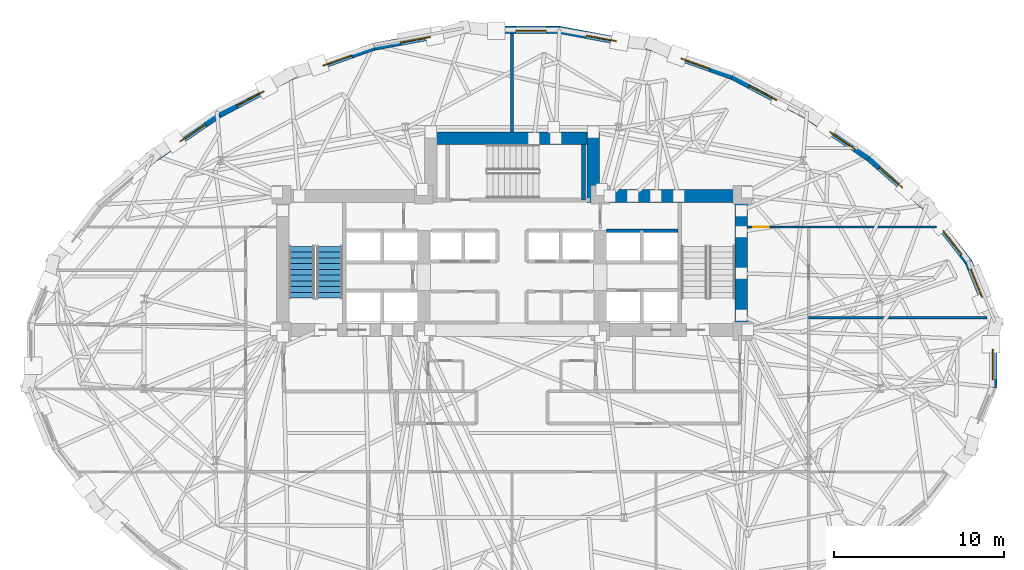
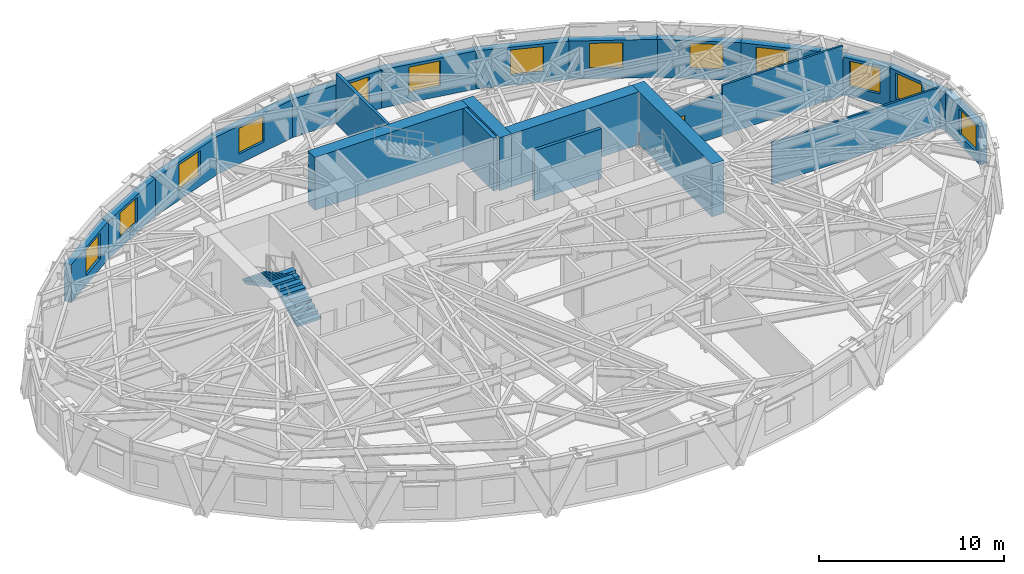
# One storey, part 10 of 15: 23 walls, 13 windows, 2 stair flights, 1 door, 14 openings, 1 element without a shape of its own.
"""IFC4 building model written with IfcOpenShell, lengths in metres."""

from ifc_helpers import new_model, si_unit, direction, frame, frame_2d, origin, place, context, subcontext, project, spatial, polyline, rectangle, outline, extrude, material, layer, layer_set, type_object, element, fill, aggregate, save


model = new_model("IFC4")

# Units and contexts
model_context = context("Model", 3, precision=1e-05, world=origin(), true_north=direction((0.0, 1.0)))
body_context = subcontext(model_context, "Body", "Model", "MODEL_VIEW")
ifc_project = project(units=[si_unit("LENGTHUNIT", "METRE"), si_unit("AREAUNIT", "SQUARE_METRE"), si_unit("VOLUMEUNIT", "CUBIC_METRE"), si_unit("PLANEANGLEUNIT", "RADIAN"), si_unit("MASSUNIT", "GRAM", prefix="KILO")], contexts=[model_context])

# Site, building, storey
site_placement = place(None, origin())
site = spatial("IfcSite", under=ifc_project, at=site_placement, CompositionType="ELEMENT")
building_placement = place(site_placement, origin())
building = spatial("IfcBuilding", under=site, at=building_placement, Name="Keldmark Tower", CompositionType="ELEMENT")
storey_placement = place(building_placement, frame((0.0, 0.0, 93.10009765625)))
storey = spatial("IfcBuildingStorey", under=building, at=storey_placement, Name="L24", CompositionType="ELEMENT", Elevation=93.10009765625)

# Wall, opening, door
ifc_material_1 = material(Name="Acoustic Double-Layer Gypsum Corridor Partition", Category="gypsum")
ifc_layer_1 = layer(ifc_material_1, 0.139892578125)
ifc_layer_set_1 = layer_set([ifc_layer_1], Name="Acoustic Double-Layer Gypsum Corridor Partition")
wall_type_1 = type_object("IfcWallType", Name="Acoustic Corridor Partition 140 mm", PredefinedType="PARTITIONING", material=ifc_layer_set_1)
wall_1_placement = place(storey_placement, frame((13.89990234375, 7.550048828125, 0.0), z_axis=(0.0, 0.0, 1.0), x_axis=(1.0, 0.0, 0.0)))
wall_1 = element("IfcWall", 1, at=wall_1_placement, inside=storey, type_object=wall_type_1, Name="L24 Acoustic Corridor Partition 140 mm COR-EN-CAP", PredefinedType="PARTITIONING", context=body_context, shape_type="SweptSolid", body=[
    extrude(rectangle(XDim=3.60009765625, YDim=0.139892578125, at=frame_2d((1.800048828125, 0.0))), origin(), (0.0, 0.0, 1.0), 2.762939453125),
])
opening_1_placement = place(wall_1_placement, frame((0.320068359375, 0.0, 0.0)))
opening_1 = element("IfcOpeningElement", 2, at=opening_1_placement, cuts=wall_1, Name="Opening D-EX092", PredefinedType="OPENING", context=body_context, shape_type="SweptSolid", body=[
    extrude(rectangle(XDim=0.919921875, YDim=2.14990234375, at=frame_2d((0.4599609375, 1.074951171875))), frame((0.0, 0.079833984375, 0.0), z_axis=(0.0, -1.0, 0.0), x_axis=(1.0, 0.0, 0.0)), (0.0, 0.0, 1.0), 0.159912109375),
])
ifc_material_2 = material(Name="Flush American Ash Executive Office Door", Category="wood")
door_type = type_object("IfcDoorType", Name="Executive Office Door 920x2150", OperationType="NOTDEFINED", PredefinedType="DOOR", material=ifc_material_2)
door_placement = place(opening_1_placement, origin())
door = element("IfcDoor", 3, at=door_placement, inside=storey, type_object=door_type, Name="L24 Executive Office Door 920x2150 D-NRNE-L24", OperationType="SINGLE_SWING_RIGHT", OverallHeight=2.14990234375, OverallWidth=0.919921875, PredefinedType="DOOR", context=body_context, shape_type="SweptSolid", body=[
    extrude(rectangle(XDim=0.919921875, YDim=2.14990234375, at=frame_2d((0.4599609375, 1.074951171875))), frame((0.0, 0.02490234375, 0.0), z_axis=(0.0, -1.0, 0.0), x_axis=(1.0, 0.0, 0.0)), (0.0, 0.0, 1.0), 0.050048828125),
])
fill(opening_1, door)

# Walls
ifc_material_3 = material(Name="STC-58 Insulated Tenant Demising Gypsum Partition", Category="gypsum")
ifc_layer_2 = layer(ifc_material_3, 0.175048828125)
ifc_layer_set_2 = layer_set([ifc_layer_2], Name="STC-58 Insulated Tenant Demising Gypsum Partition")
wall_type_2 = type_object("IfcWallType", Name="Demising Suite Partition 175 mm", PredefinedType="PARTITIONING", material=ifc_layer_set_2)
wall_2_placement = place(storey_placement, frame((0.0, 13.14990234375, 0.0), z_axis=(0.0, 0.0, 1.0), x_axis=(0.0, 1.0, 0.0)))
element("IfcWall", 4, at=wall_2_placement, inside=storey, type_object=wall_type_2, Name="L24 Demising Suite Partition 175 mm N-MID-DIV", PredefinedType="PARTITIONING", context=body_context, shape_type="SweptSolid", body=[
    extrude(rectangle(XDim=5.7958984375, YDim=0.175048828125, at=frame_2d((2.89794921875, 0.0))), origin(), (0.0, 0.0, 1.0), 3.309814453125),
])
ifc_material_4 = material(Name="Acoustic Gypsum Board Interior Partition", Category="gypsum")
ifc_layer_3 = layer(ifc_material_4, 0.1298828125)
ifc_layer_set_3 = layer_set([ifc_layer_3], Name="Acoustic Gypsum Board Interior Partition")
wall_type_3 = type_object("IfcWallType", Name="Interior Partition 130 mm", PredefinedType="PARTITIONING", material=ifc_layer_set_3)
wall_3_placement = place(storey_placement, frame((17.5, 7.550048828125, 0.0), z_axis=(0.0, 0.0, 1.0), x_axis=(1.0, 0.0, 0.0)))
element("IfcWall", 5, at=wall_3_placement, inside=storey, type_object=wall_type_3, Name="L24 Interior Partition 130 mm E-CAP-N", PredefinedType="PARTITIONING", context=body_context, shape_type="SweptSolid", body=[
    extrude(rectangle(XDim=7.52734375, YDim=0.1298828125, at=frame_2d((3.763671875, 0.0))), origin(), (0.0, 0.0, 1.0), 3.309814453125),
])
wall_4_placement = place(storey_placement, frame((17.5, 2.199951171875, 0.0), z_axis=(0.0, 0.0, 1.0), x_axis=(1.0, 0.0, 0.0)))
element("IfcWall", 6, at=wall_4_placement, inside=storey, type_object=wall_type_3, Name="L24 Interior Partition 130 mm E-DIV-1", PredefinedType="PARTITIONING", context=body_context, shape_type="SweptSolid", body=[
    extrude(rectangle(XDim=10.510498046875, YDim=0.1298828125, at=frame_2d((5.25537109375, 0.0))), origin(), (0.0, 0.0, 1.0), 2.7509765625),
])
ifc_material_5 = material(Name="Concrete C70/85", Category="concrete")
ifc_layer_4 = layer(ifc_material_5, 0.75)
ifc_layer_set_4 = layer_set([ifc_layer_4], Name="Concrete C70/85")
wall_type_4 = type_object("IfcWallType", Name="Low-Mid Core Shear Wall 750 mm", PredefinedType="SHEAR", material=ifc_layer_set_4)
wall_5_placement = place(storey_placement, frame((13.52490234375, 1.10009765625, 0.0), z_axis=(0.0, 0.0, 1.0), x_axis=(0.0, 1.0, 0.0)))
element("IfcWall", 7, at=wall_5_placement, inside=storey, type_object=wall_type_4, Name="L24 East Core Outer Shear Wall", PredefinedType="SHEAR", context=body_context, shape_type="SweptSolid", body=[
    extrude(rectangle(XDim=8.64990234375, YDim=0.75, at=frame_2d((4.324951171875, 0.0))), origin(), (0.0, 0.0, 1.0), 3.5),
])
wall_6_placement = place(storey_placement, frame((4.425048828125, 9.375, 0.0), z_axis=(0.0, 0.0, 1.0), x_axis=(1.0, 0.0, 0.0)))
element("IfcWall", 8, at=wall_6_placement, inside=storey, type_object=wall_type_4, Name="L24 East Core North Shear Wall", PredefinedType="SHEAR", context=body_context, shape_type="SweptSolid", body=[
    extrude(rectangle(XDim=9.474853515625, YDim=0.75, at=frame_2d((4.7373046875, 0.0))), origin(), (0.0, 0.0, 1.0), 3.5),
])
wall_7_placement = place(storey_placement, frame((-5.175048828125, 12.77490234375, 0.0), z_axis=(0.0, 0.0, 1.0), x_axis=(1.0, 0.0, 0.0)))
element("IfcWall", 9, at=wall_7_placement, inside=storey, type_object=wall_type_4, Name="L24 North Core Shear Wall", PredefinedType="SHEAR", context=body_context, shape_type="SweptSolid", body=[
    extrude(rectangle(XDim=10.35009765625, YDim=0.75, at=frame_2d((5.175048828125, 0.0))), origin(), (0.0, 0.0, 1.0), 3.5),
])
wall_8_placement = place(storey_placement, frame((4.800048828125, 9.0, 0.0), z_axis=(0.0, 0.0, 1.0), x_axis=(0.0, 1.0, 0.0)))
element("IfcWall", 10, at=wall_8_placement, inside=storey, type_object=wall_type_4, Name="L24 North Core East Shear Wall", PredefinedType="SHEAR", context=body_context, shape_type="SweptSolid", body=[
    extrude(rectangle(XDim=4.14990234375, YDim=0.75, at=frame_2d((2.074951171875, 0.0))), origin(), (0.0, 0.0, 1.0), 3.5),
])
ifc_material_6 = material(Name="Fire-Resistant Type X Gypsum Shaftliner Coreboard", Category="gypsum")
ifc_layer_5 = layer(ifc_material_6, 0.199951171875)
ifc_layer_set_5 = layer_set([ifc_layer_5], Name="Fire-Resistant Type X Gypsum Shaftliner Coreboard")
wall_type_5 = type_object("IfcWallType", Name="Shaft Wall 200 mm", PredefinedType="SOLIDWALL", material=ifc_layer_set_5)
wall_9_placement = place(storey_placement, frame((5.574951171875, 7.330078125, 0.0), z_axis=(0.0, 0.0, 1.0), x_axis=(1.0, 0.0, 0.0)))
element("IfcWall", 11, at=wall_9_placement, inside=storey, type_object=wall_type_5, Name="L24 Shaft Wall 200 mm HW-E-TOP", PredefinedType="SOLIDWALL", context=body_context, shape_type="SweptSolid", body=[
    extrude(rectangle(XDim=4.205078125, YDim=0.199951171875, at=frame_2d((2.1025390625, 0.0))), origin(), (0.0, 0.0, 1.0), 3.309814453125),
])
ifc_material_7 = material(Name="Concrete C50/60", Category="concrete")
ifc_layer_6 = layer(ifc_material_7, 0.219970703125)
ifc_layer_set_6 = layer_set([ifc_layer_6], Name="Concrete C50/60")
wall_type_6 = type_object("IfcWallType", Name="Stair Core Shear Wall 220 mm", PredefinedType="SHEAR", material=ifc_layer_set_6)
wall_10_placement = place(storey_placement, frame((4.215087890625, 9.139892578125, 0.0), z_axis=(0.0, 0.0, 1.0), x_axis=(0.0, 1.0, 0.0)))
element("IfcWall", 12, at=wall_10_placement, inside=storey, type_object=wall_type_6, Name="L24 Central Stair Core East Shear Wall", PredefinedType="SHEAR", context=body_context, shape_type="SweptSolid", body=[
    extrude(rectangle(XDim=3.260009765625, YDim=0.219970703125, at=frame_2d((1.6298828125, 0.0))), origin(), (0.0, 0.0, 1.0), 3.5),
])

# Wall, opening, window
ifc_material_8 = material(Name="Ironspot Manganese Brick and Kasota Buff Limestone Spandrel Assembly", Category="masonry")
ifc_layer_7 = layer(ifc_material_8, 0.43994140625)
ifc_layer_set_7 = layer_set([ifc_layer_7], Name="Ironspot Manganese Brick and Kasota Buff Limestone Spandrel Assembly")
wall_type_7 = type_object("IfcWallType", Name="Tower Brick Pier and Spandrel Wall 440 mm", PredefinedType="STANDARD", material=ifc_layer_set_7)
wall_11_placement = place(storey_placement, frame((26.923583984375, 5.49560546875, 0.0), z_axis=(0.0, 0.0, 1.0), x_axis=(0.374920072969, -0.927057138954, 0.0)))
wall_11 = element("IfcWall", 13, at=wall_11_placement, inside=storey, type_object=wall_type_7, Name="L24 Exterior Brick and Spandrel Wall 01", PredefinedType="STANDARD", context=body_context, shape_type="SweptSolid", body=[
    extrude(rectangle(XDim=3.95654296875, YDim=0.43994140625, at=frame_2d((1.978271484375, 0.0))), origin(), (0.0, 0.0, 1.0), 2.52783203125),
])
opening_2_placement = place(wall_11_placement, frame((0.444091796875, 0.0, 0.64990234375)))
opening_2 = element("IfcOpeningElement", 14, at=opening_2_placement, cuts=wall_11, Name="Opening W-02", PredefinedType="OPENING", context=body_context, shape_type="SweptSolid", body=[
    extrude(rectangle(XDim=1.800048828125, YDim=1.699951171875, at=frame_2d((0.89990234375, 0.85009765625))), frame((0.0, 0.22998046875, 0.0), z_axis=(0.0, -1.0, 0.0), x_axis=(1.0, 0.0, 0.0)), (0.0, 0.0, 1.0), 0.4599609375),
])
ifc_material_9 = material(Name="Thermally Broken Anodized Aluminum and Triple Low-E Argon Glazing", Category="aluminium")
window_type = type_object("IfcWindowType", Name="Office Deep-Set Triple Window 1800x1700", PartitioningType="TRIPLE_PANEL_VERTICAL", PredefinedType="WINDOW", material=ifc_material_9)
window_1_placement = place(opening_2_placement, origin())
window_1 = element("IfcWindow", 15, at=window_1_placement, inside=storey, type_object=window_type, Name="L24 Deep-Set Window 01", OverallHeight=1.699951171875, OverallWidth=1.800048828125, PartitioningType="SINGLE_PANEL", PredefinedType="WINDOW", context=body_context, shape_type="SweptSolid", body=[
    extrude(rectangle(XDim=1.800048828125, YDim=1.699951171875, at=frame_2d((0.89990234375, 0.85009765625))), frame((0.0, -0.010009765625, 0.0), z_axis=(0.0, -1.0, 0.0), x_axis=(1.0, 0.0, 0.0)), (0.0, 0.0, 1.0), 0.06005859375),
])
fill(opening_2, window_1)

wall_12_placement = place(storey_placement, frame((24.375732421875, 8.759765625, 0.0), z_axis=(0.0, 0.0, 1.0), x_axis=(0.61375552181, -0.789496142769, 0.0)))
wall_12 = element("IfcWall", 16, at=wall_12_placement, inside=storey, type_object=wall_type_7, Name="L24 Exterior Brick and Spandrel Wall 02", PredefinedType="STANDARD", context=body_context, shape_type="SweptSolid", body=[
    extrude(rectangle(XDim=4.200927734375, YDim=0.43994140625, at=frame_2d((2.1005859375, 0.0))), origin(), (0.0, 0.0, 1.0), 2.52783203125),
])
opening_3_placement = place(wall_12_placement, frame((1.76171875, 0.0, 0.64990234375)))
opening_3 = element("IfcOpeningElement", 17, at=opening_3_placement, cuts=wall_12, Name="Opening W-02", PredefinedType="OPENING", context=body_context, shape_type="SweptSolid", body=[
    extrude(rectangle(XDim=1.800048828125, YDim=1.699951171875, at=frame_2d((0.89990234375, 0.85009765625))), frame((0.0, 0.22998046875, 0.0), z_axis=(0.0, -1.0, 0.0), x_axis=(1.0, 0.0, 0.0)), (0.0, 0.0, 1.0), 0.4599609375),
])
window_2_placement = place(opening_3_placement, origin())
window_2 = element("IfcWindow", 18, at=window_2_placement, inside=storey, type_object=window_type, Name="L24 Deep-Set Window 02", OverallHeight=1.699951171875, OverallWidth=1.800048828125, PartitioningType="SINGLE_PANEL", PredefinedType="WINDOW", context=body_context, shape_type="SweptSolid", body=[
    extrude(rectangle(XDim=1.800048828125, YDim=1.699951171875, at=frame_2d((0.89990234375, 0.85009765625))), frame((0.0, -0.010009765625, 0.0), z_axis=(0.0, -1.0, 0.0), x_axis=(1.0, 0.0, 0.0)), (0.0, 0.0, 1.0), 0.06005859375),
])
fill(opening_3, window_2)

wall_13_placement = place(storey_placement, frame((21.063232421875, 11.631591796875, 0.0), z_axis=(0.0, 0.0, 1.0), x_axis=(0.754922454992, -0.655814064312, 0.0)))
wall_13 = element("IfcWall", 19, at=wall_13_placement, inside=storey, type_object=wall_type_7, Name="L24 Exterior Brick and Spandrel Wall 03", PredefinedType="STANDARD", context=body_context, shape_type="SweptSolid", body=[
    extrude(rectangle(XDim=4.4267578125, YDim=0.43994140625, at=frame_2d((2.21337890625, 0.0))), origin(), (0.0, 0.0, 1.0), 2.52783203125),
])
opening_4_placement = place(wall_13_placement, frame((0.84326171875, 0.0, 0.64990234375)))
opening_4 = element("IfcOpeningElement", 20, at=opening_4_placement, cuts=wall_13, Name="Opening W-02", PredefinedType="OPENING", context=body_context, shape_type="SweptSolid", body=[
    extrude(rectangle(XDim=1.800048828125, YDim=1.699951171875, at=frame_2d((0.89990234375, 0.85009765625))), frame((0.0, 0.22998046875, 0.0), z_axis=(0.0, -1.0, 0.0), x_axis=(1.0, 0.0, 0.0)), (0.0, 0.0, 1.0), 0.4599609375),
])
window_3_placement = place(opening_4_placement, origin())
window_3 = element("IfcWindow", 21, at=window_3_placement, inside=storey, type_object=window_type, Name="L24 Deep-Set Window 03", OverallHeight=1.699951171875, OverallWidth=1.800048828125, PartitioningType="SINGLE_PANEL", PredefinedType="WINDOW", context=body_context, shape_type="SweptSolid", body=[
    extrude(rectangle(XDim=1.800048828125, YDim=1.699951171875, at=frame_2d((0.89990234375, 0.85009765625))), frame((0.0, -0.010009765625, 0.0), z_axis=(0.0, -1.0, 0.0), x_axis=(1.0, 0.0, 0.0)), (0.0, 0.0, 1.0), 0.06005859375),
])
fill(opening_4, window_3)

wall_14_placement = place(storey_placement, frame((17.28125, 14.193359375, 0.0), z_axis=(0.0, 0.0, 1.0), x_axis=(0.827749911298, -0.561097214701, 0.0)))
wall_14 = element("IfcWall", 22, at=wall_14_placement, inside=storey, type_object=wall_type_7, Name="L24 Exterior Brick and Spandrel Wall 04", PredefinedType="STANDARD", context=body_context, shape_type="SweptSolid", body=[
    extrude(rectangle(XDim=4.59423828125, YDim=0.43994140625, at=frame_2d((2.297119140625, 0.0))), origin(), (0.0, 0.0, 1.0), 2.52783203125),
])
opening_5_placement = place(wall_14_placement, frame((1.796142578125, 0.0, 0.64990234375)))
opening_5 = element("IfcOpeningElement", 23, at=opening_5_placement, cuts=wall_14, Name="Opening W-02", PredefinedType="OPENING", context=body_context, shape_type="SweptSolid", body=[
    extrude(rectangle(XDim=1.800048828125, YDim=1.699951171875, at=frame_2d((0.89990234375, 0.85009765625))), frame((0.0, 0.22998046875, 0.0), z_axis=(0.0, -1.0, 0.0), x_axis=(1.0, 0.0, 0.0)), (0.0, 0.0, 1.0), 0.4599609375),
])
window_4_placement = place(opening_5_placement, origin())
window_4 = element("IfcWindow", 24, at=window_4_placement, inside=storey, type_object=window_type, Name="L24 Deep-Set Window 04", OverallHeight=1.699951171875, OverallWidth=1.800048828125, PartitioningType="SINGLE_PANEL", PredefinedType="WINDOW", context=body_context, shape_type="SweptSolid", body=[
    extrude(rectangle(XDim=1.800048828125, YDim=1.699951171875, at=frame_2d((0.89990234375, 0.85009765625))), frame((0.0, -0.010009765625, 0.0), z_axis=(0.0, -1.0, 0.0), x_axis=(1.0, 0.0, 0.0)), (0.0, 0.0, 1.0), 0.06005859375),
])
fill(opening_5, window_4)

wall_15_placement = place(storey_placement, frame((13.01904296875, 16.4462890625, 0.0), z_axis=(0.0, 0.0, 1.0), x_axis=(0.88395333318, -0.467575132743, 0.0)))
wall_15 = element("IfcWall", 25, at=wall_15_placement, inside=storey, type_object=wall_type_7, Name="L24 Exterior Brick and Spandrel Wall 05", PredefinedType="STANDARD", context=body_context, shape_type="SweptSolid", body=[
    extrude(rectangle(XDim=4.844970703125, YDim=0.43994140625, at=frame_2d((2.42236328125, 0.0))), origin(), (0.0, 0.0, 1.0), 2.52783203125),
])
opening_6_placement = place(wall_15_placement, frame((1.148193359375, 0.0, 0.64990234375)))
opening_6 = element("IfcOpeningElement", 26, at=opening_6_placement, cuts=wall_15, Name="Opening W-02", PredefinedType="OPENING", context=body_context, shape_type="SweptSolid", body=[
    extrude(rectangle(XDim=1.800048828125, YDim=1.699951171875, at=frame_2d((0.89990234375, 0.85009765625))), frame((0.0, 0.22998046875, 0.0), z_axis=(0.0, -1.0, 0.0), x_axis=(1.0, 0.0, 0.0)), (0.0, 0.0, 1.0), 0.4599609375),
])
window_5_placement = place(opening_6_placement, origin())
window_5 = element("IfcWindow", 27, at=window_5_placement, inside=storey, type_object=window_type, Name="L24 Deep-Set Window 05", OverallHeight=1.699951171875, OverallWidth=1.800048828125, PartitioningType="SINGLE_PANEL", PredefinedType="WINDOW", context=body_context, shape_type="SweptSolid", body=[
    extrude(rectangle(XDim=1.800048828125, YDim=1.699951171875, at=frame_2d((0.89990234375, 0.85009765625))), frame((0.0, -0.010009765625, 0.0), z_axis=(0.0, -1.0, 0.0), x_axis=(1.0, 0.0, 0.0)), (0.0, 0.0, 1.0), 0.06005859375),
])
fill(opening_6, window_5)

wall_16_placement = place(storey_placement, frame((8.155029296875, 18.18115234375, 0.0), z_axis=(0.0, 0.0, 1.0), x_axis=(0.941734469447, -0.336357234285, 0.0)))
wall_16 = element("IfcWall", 28, at=wall_16_placement, inside=storey, type_object=wall_type_7, Name="L24 Exterior Brick and Spandrel Wall 06", PredefinedType="STANDARD", context=body_context, shape_type="SweptSolid", body=[
    extrude(rectangle(XDim=5.195556640625, YDim=0.43994140625, at=frame_2d((2.59765625, 0.0))), origin(), (0.0, 0.0, 1.0), 2.52783203125),
])
opening_7_placement = place(wall_16_placement, frame((1.947509765625, 0.0, 0.64990234375)))
opening_7 = element("IfcOpeningElement", 29, at=opening_7_placement, cuts=wall_16, Name="Opening W-02", PredefinedType="OPENING", context=body_context, shape_type="SweptSolid", body=[
    extrude(rectangle(XDim=1.800048828125, YDim=1.699951171875, at=frame_2d((0.89990234375, 0.85009765625))), frame((0.0, 0.22998046875, 0.0), z_axis=(0.0, -1.0, 0.0), x_axis=(1.0, 0.0, 0.0)), (0.0, 0.0, 1.0), 0.4599609375),
])
window_6_placement = place(opening_7_placement, origin())
window_6 = element("IfcWindow", 30, at=window_6_placement, inside=storey, type_object=window_type, Name="L24 Deep-Set Window 06", OverallHeight=1.699951171875, OverallWidth=1.800048828125, PartitioningType="SINGLE_PANEL", PredefinedType="WINDOW", context=body_context, shape_type="SweptSolid", body=[
    extrude(rectangle(XDim=1.800048828125, YDim=1.699951171875, at=frame_2d((0.89990234375, 0.85009765625))), frame((0.0, -0.010009765625, 0.0), z_axis=(0.0, -1.0, 0.0), x_axis=(1.0, 0.0, 0.0)), (0.0, 0.0, 1.0), 0.06005859375),
])
fill(opening_7, window_6)

wall_17_placement = place(storey_placement, frame((2.777587890625, 19.177490234375, 0.0), z_axis=(0.0, 0.0, 1.0), x_axis=(0.983175651308, -0.182662636232, 0.0)))
wall_17 = element("IfcWall", 31, at=wall_17_placement, inside=storey, type_object=wall_type_7, Name="L24 Exterior Brick and Spandrel Wall 07", PredefinedType="STANDARD", context=body_context, shape_type="SweptSolid", body=[
    extrude(rectangle(XDim=5.50390625, YDim=0.43994140625, at=frame_2d((2.751953125, 0.0))), origin(), (0.0, 0.0, 1.0), 2.52783203125),
])
opening_8_placement = place(wall_17_placement, frame((1.6298828125, 0.0, 0.64990234375)))
opening_8 = element("IfcOpeningElement", 32, at=opening_8_placement, cuts=wall_17, Name="Opening W-02", PredefinedType="OPENING", context=body_context, shape_type="SweptSolid", body=[
    extrude(rectangle(XDim=1.800048828125, YDim=1.699951171875, at=frame_2d((0.89990234375, 0.85009765625))), frame((0.0, 0.22998046875, 0.0), z_axis=(0.0, -1.0, 0.0), x_axis=(1.0, 0.0, 0.0)), (0.0, 0.0, 1.0), 0.4599609375),
])
window_7_placement = place(opening_8_placement, origin())
window_7 = element("IfcWindow", 33, at=window_7_placement, inside=storey, type_object=window_type, Name="L24 Deep-Set Window 07", OverallHeight=1.699951171875, OverallWidth=1.800048828125, PartitioningType="SINGLE_PANEL", PredefinedType="WINDOW", context=body_context, shape_type="SweptSolid", body=[
    extrude(rectangle(XDim=1.800048828125, YDim=1.699951171875, at=frame_2d((0.89990234375, 0.85009765625))), frame((0.0, -0.010009765625, 0.0), z_axis=(0.0, -1.0, 0.0), x_axis=(1.0, 0.0, 0.0)), (0.0, 0.0, 1.0), 0.06005859375),
])
fill(opening_8, window_7)

wall_18_placement = place(storey_placement, frame((-2.81787109375, 19.173828125, 0.0), z_axis=(0.0, 0.0, 1.0), x_axis=(1.0, 0.0, 0.0)))
wall_18 = element("IfcWall", 34, at=wall_18_placement, inside=storey, type_object=wall_type_7, Name="L24 Exterior Brick and Spandrel Wall 08", PredefinedType="STANDARD", context=body_context, shape_type="SweptSolid", body=[
    extrude(rectangle(XDim=5.6357421875, YDim=0.43994140625, at=frame_2d((2.81787109375, 0.0))), origin(), (0.0, 0.0, 1.0), 2.52783203125),
])
opening_9_placement = place(wall_18_placement, frame((3.038330078125, 0.0, 0.64990234375)))
opening_9 = element("IfcOpeningElement", 35, at=opening_9_placement, cuts=wall_18, Name="Opening W-02", PredefinedType="OPENING", context=body_context, shape_type="SweptSolid", body=[
    extrude(rectangle(XDim=1.800048828125, YDim=1.699951171875, at=frame_2d((0.89990234375, 0.85009765625))), frame((0.0, 0.22998046875, 0.0), z_axis=(0.0, -1.0, 0.0), x_axis=(1.0, 0.0, 0.0)), (0.0, 0.0, 1.0), 0.4599609375),
])
window_8_placement = place(opening_9_placement, origin())
window_8 = element("IfcWindow", 36, at=window_8_placement, inside=storey, type_object=window_type, Name="L24 Deep-Set Window 08", OverallHeight=1.699951171875, OverallWidth=1.800048828125, PartitioningType="SINGLE_PANEL", PredefinedType="WINDOW", context=body_context, shape_type="SweptSolid", body=[
    extrude(rectangle(XDim=1.800048828125, YDim=1.699951171875, at=frame_2d((0.89990234375, 0.85009765625))), frame((0.0, -0.010009765625, 0.0), z_axis=(0.0, -1.0, 0.0), x_axis=(1.0, 0.0, 0.0)), (0.0, 0.0, 1.0), 0.06005859375),
])
fill(opening_9, window_8)

wall_19_placement = place(storey_placement, frame((-8.18896484375, 18.172119140625, 0.0), z_axis=(0.0, 0.0, 1.0), x_axis=(0.983175651308, 0.182662636232, 0.0)))
wall_19 = element("IfcWall", 37, at=wall_19_placement, inside=storey, type_object=wall_type_7, Name="L24 Exterior Brick and Spandrel Wall 09", PredefinedType="STANDARD", context=body_context, shape_type="SweptSolid", body=[
    extrude(rectangle(XDim=5.50390625, YDim=0.43994140625, at=frame_2d((2.751953125, 0.0))), origin(), (0.0, 0.0, 1.0), 2.52783203125),
])
opening_10_placement = place(wall_19_placement, frame((1.6298828125, 0.0, 0.64990234375)))
opening_10 = element("IfcOpeningElement", 38, at=opening_10_placement, cuts=wall_19, Name="Opening W-02", PredefinedType="OPENING", context=body_context, shape_type="SweptSolid", body=[
    extrude(rectangle(XDim=1.800048828125, YDim=1.699951171875, at=frame_2d((0.89990234375, 0.85009765625))), frame((0.0, 0.22998046875, 0.0), z_axis=(0.0, -1.0, 0.0), x_axis=(1.0, 0.0, 0.0)), (0.0, 0.0, 1.0), 0.4599609375),
])
window_9_placement = place(opening_10_placement, origin())
window_9 = element("IfcWindow", 39, at=window_9_placement, inside=storey, type_object=window_type, Name="L24 Deep-Set Window 09", OverallHeight=1.699951171875, OverallWidth=1.800048828125, PartitioningType="SINGLE_PANEL", PredefinedType="WINDOW", context=body_context, shape_type="SweptSolid", body=[
    extrude(rectangle(XDim=1.800048828125, YDim=1.699951171875, at=frame_2d((0.89990234375, 0.85009765625))), frame((0.0, -0.010009765625, 0.0), z_axis=(0.0, -1.0, 0.0), x_axis=(1.0, 0.0, 0.0)), (0.0, 0.0, 1.0), 0.06005859375),
])
fill(opening_10, window_9)

wall_20_placement = place(storey_placement, frame((-13.0478515625, 16.43359375, 0.0), z_axis=(0.0, 0.0, 1.0), x_axis=(0.941734469447, 0.336357234285, 0.0)))
wall_20 = element("IfcWall", 40, at=wall_20_placement, inside=storey, type_object=wall_type_7, Name="L24 Exterior Brick and Spandrel Wall 10", PredefinedType="STANDARD", context=body_context, shape_type="SweptSolid", body=[
    extrude(rectangle(XDim=5.195556640625, YDim=0.43994140625, at=frame_2d((2.59765625, 0.0))), origin(), (0.0, 0.0, 1.0), 2.52783203125),
])
opening_11_placement = place(wall_20_placement, frame((1.997314453125, 0.0, 0.64990234375)))
opening_11 = element("IfcOpeningElement", 41, at=opening_11_placement, cuts=wall_20, Name="Opening W-02", PredefinedType="OPENING", context=body_context, shape_type="SweptSolid", body=[
    extrude(rectangle(XDim=1.800048828125, YDim=1.699951171875, at=frame_2d((0.89990234375, 0.85009765625))), frame((0.0, 0.22998046875, 0.0), z_axis=(0.0, -1.0, 0.0), x_axis=(1.0, 0.0, 0.0)), (0.0, 0.0, 1.0), 0.4599609375),
])
window_10_placement = place(opening_11_placement, origin())
window_10 = element("IfcWindow", 42, at=window_10_placement, inside=storey, type_object=window_type, Name="L24 Deep-Set Window 10", OverallHeight=1.699951171875, OverallWidth=1.800048828125, PartitioningType="SINGLE_PANEL", PredefinedType="WINDOW", context=body_context, shape_type="SweptSolid", body=[
    extrude(rectangle(XDim=1.800048828125, YDim=1.699951171875, at=frame_2d((0.89990234375, 0.85009765625))), frame((0.0, -0.010009765625, 0.0), z_axis=(0.0, -1.0, 0.0), x_axis=(1.0, 0.0, 0.0)), (0.0, 0.0, 1.0), 0.06005859375),
])
fill(opening_11, window_10)

wall_21_placement = place(storey_placement, frame((-17.3017578125, 14.180908203125, 0.0), z_axis=(0.0, 0.0, 1.0), x_axis=(0.88395333318, 0.467575132743, 0.0)))
wall_21 = element("IfcWall", 43, at=wall_21_placement, inside=storey, type_object=wall_type_7, Name="L24 Exterior Brick and Spandrel Wall 11", PredefinedType="STANDARD", context=body_context, shape_type="SweptSolid", body=[
    extrude(rectangle(XDim=4.844970703125, YDim=0.43994140625, at=frame_2d((2.42236328125, 0.0))), origin(), (0.0, 0.0, 1.0), 2.52783203125),
])
opening_12_placement = place(wall_21_placement, frame((1.197998046875, 0.0, 0.64990234375)))
opening_12 = element("IfcOpeningElement", 44, at=opening_12_placement, cuts=wall_21, Name="Opening W-02", PredefinedType="OPENING", context=body_context, shape_type="SweptSolid", body=[
    extrude(rectangle(XDim=1.800048828125, YDim=1.699951171875, at=frame_2d((0.89990234375, 0.85009765625))), frame((0.0, 0.22998046875, 0.0), z_axis=(0.0, -1.0, 0.0), x_axis=(1.0, 0.0, 0.0)), (0.0, 0.0, 1.0), 0.4599609375),
])
window_11_placement = place(opening_12_placement, origin())
window_11 = element("IfcWindow", 45, at=window_11_placement, inside=storey, type_object=window_type, Name="L24 Deep-Set Window 11", OverallHeight=1.699951171875, OverallWidth=1.800048828125, PartitioningType="SINGLE_PANEL", PredefinedType="WINDOW", context=body_context, shape_type="SweptSolid", body=[
    extrude(rectangle(XDim=1.800048828125, YDim=1.699951171875, at=frame_2d((0.89990234375, 0.85009765625))), frame((0.0, -0.010009765625, 0.0), z_axis=(0.0, -1.0, 0.0), x_axis=(1.0, 0.0, 0.0)), (0.0, 0.0, 1.0), 0.06005859375),
])
fill(opening_12, window_11)

wall_22_placement = place(storey_placement, frame((-21.084228515625, 11.615478515625, 0.0), z_axis=(0.0, 0.0, 1.0), x_axis=(0.827749911298, 0.561097214701, 0.0)))
wall_22 = element("IfcWall", 46, at=wall_22_placement, inside=storey, type_object=wall_type_7, Name="L24 Exterior Brick and Spandrel Wall 12", PredefinedType="STANDARD", context=body_context, shape_type="SweptSolid", body=[
    extrude(rectangle(XDim=4.59423828125, YDim=0.43994140625, at=frame_2d((2.297119140625, 0.0))), origin(), (0.0, 0.0, 1.0), 2.52783203125),
])
opening_13_placement = place(wall_22_placement, frame((1.796142578125, 0.0, 0.64990234375)))
opening_13 = element("IfcOpeningElement", 47, at=opening_13_placement, cuts=wall_22, Name="Opening W-02", PredefinedType="OPENING", context=body_context, shape_type="SweptSolid", body=[
    extrude(rectangle(XDim=1.800048828125, YDim=1.699951171875, at=frame_2d((0.89990234375, 0.85009765625))), frame((0.0, 0.22998046875, 0.0), z_axis=(0.0, -1.0, 0.0), x_axis=(1.0, 0.0, 0.0)), (0.0, 0.0, 1.0), 0.4599609375),
])
window_12_placement = place(opening_13_placement, origin())
window_12 = element("IfcWindow", 48, at=window_12_placement, inside=storey, type_object=window_type, Name="L24 Deep-Set Window 12", OverallHeight=1.699951171875, OverallWidth=1.800048828125, PartitioningType="SINGLE_PANEL", PredefinedType="WINDOW", context=body_context, shape_type="SweptSolid", body=[
    extrude(rectangle(XDim=1.800048828125, YDim=1.699951171875, at=frame_2d((0.89990234375, 0.85009765625))), frame((0.0, -0.010009765625, 0.0), z_axis=(0.0, -1.0, 0.0), x_axis=(1.0, 0.0, 0.0)), (0.0, 0.0, 1.0), 0.06005859375),
])
fill(opening_13, window_12)

wall_23_placement = place(storey_placement, frame((28.39111328125, 1.91015625, 0.0), z_axis=(0.0, 0.0, 1.0), x_axis=(0.0, -1.0, 0.0)))
wall_23 = element("IfcWall", 49, at=wall_23_placement, inside=storey, type_object=wall_type_7, Name="L24 Exterior Brick and Spandrel Wall 32", PredefinedType="STANDARD", context=body_context, shape_type="SweptSolid", body=[
    extrude(rectangle(XDim=3.8203125, YDim=0.43994140625, at=frame_2d((1.91015625, 0.0))), origin(), (0.0, 0.0, 1.0), 2.52783203125),
])
opening_14_placement = place(wall_23_placement, frame((1.57470703125, 0.0, 0.64990234375)))
opening_14 = element("IfcOpeningElement", 50, at=opening_14_placement, cuts=wall_23, Name="Opening W-02", PredefinedType="OPENING", context=body_context, shape_type="SweptSolid", body=[
    extrude(rectangle(XDim=1.800048828125, YDim=1.699951171875, at=frame_2d((0.89990234375, 0.85009765625))), frame((0.0, 0.22998046875, 0.0), z_axis=(0.0, -1.0, 0.0), x_axis=(1.0, 0.0, 0.0)), (0.0, 0.0, 1.0), 0.4599609375),
])
window_13_placement = place(opening_14_placement, origin())
window_13 = element("IfcWindow", 51, at=window_13_placement, inside=storey, type_object=window_type, Name="L24 Deep-Set Window 32", OverallHeight=1.699951171875, OverallWidth=1.800048828125, PartitioningType="SINGLE_PANEL", PredefinedType="WINDOW", context=body_context, shape_type="SweptSolid", body=[
    extrude(rectangle(XDim=1.800048828125, YDim=1.699951171875, at=frame_2d((0.89990234375, 0.85009765625))), frame((0.0, -0.010009765625, 0.0), z_axis=(0.0, -1.0, 0.0), x_axis=(1.0, 0.0, 0.0)), (0.0, 0.0, 1.0), 0.06005859375),
])
fill(opening_14, window_13)

# Stair, stair flights
ifc_material_10 = material(Name="Concrete C40/50", Category="concrete")
stair_type = type_object("IfcStairType", Name="Precast Concrete Core Exit Stair", PredefinedType="HALF_TURN_STAIR", material=ifc_material_10)
stair_placement = place(storey_placement, origin())
stair = element("IfcStair", 52, at=stair_placement, inside=storey, type_object=stair_type, Name="L24 Exit Stair ST1", PredefinedType="HALF_TURN_STAIR")
ifc_material_11 = material(Name="Concrete C40/50", Category="concrete")
stair_flight_type = type_object("IfcStairFlightType", Name="Precast Concrete Stair Flight 1500 mm", PredefinedType="STRAIGHT", material=ifc_material_11)
stair_flight_1_placement = place(storey_placement, frame((-10.75, 3.35009765625, 0.0), z_axis=(0.0, 0.0, 1.0), x_axis=(0.0, 1.0, 0.0)))
stair_flight_1 = element("IfcStairFlight", 53, at=stair_flight_1_placement, type_object=stair_flight_type, Name="ST1 flight 1", NumberOfRisers=10, NumberOfTreads=9, PredefinedType="STRAIGHT", RiserHeight=0.175, TreadLength=0.34, context=body_context, shape_type="SweptSolid", body=[
    extrude(outline(polyline([(0.0, 0.0), (0.0, 0.175048828125), (0.340087890625, 0.175048828125), (0.340087890625, 0.35009765625), (0.679931640625, 0.35009765625), (0.679931640625, 0.52490234375), (1.02001953125, 0.52490234375), (1.02001953125, 0.699951171875), (1.360107421875, 0.699951171875), (1.360107421875, 0.875), (1.699951171875, 0.875), (1.699951171875, 1.050048828125), (2.0400390625, 1.050048828125), (2.0400390625, 1.22509765625), (2.3798828125, 1.22509765625), (2.3798828125, 1.39990234375), (2.719970703125, 1.39990234375), (2.719970703125, 1.574951171875), (3.06005859375, 1.574951171875), (3.06005859375, 1.75), (3.06005859375, 1.406494140625), (0.32763671875, 0.0), (0.0, 0.0)])), frame((0.0, 0.75, 0.0), z_axis=(0.0, -1.0, 0.0), x_axis=(1.0, 0.0, 0.0)), (0.0, 0.0, 1.0), 1.5),
])
stair_flight_2_placement = place(storey_placement, frame((-12.39990234375, 6.409912109375, 1.75), z_axis=(0.0, 0.0, 1.0), x_axis=(0.0, -1.0, 0.0)))
stair_flight_2 = element("IfcStairFlight", 54, at=stair_flight_2_placement, type_object=stair_flight_type, Name="ST1 flight 2", NumberOfRisers=10, NumberOfTreads=9, PredefinedType="STRAIGHT", RiserHeight=0.175, TreadLength=0.34, context=body_context, shape_type="SweptSolid", body=[
    extrude(outline(polyline([(0.0, 0.0), (0.0, 0.175048828125), (0.340087890625, 0.175048828125), (0.340087890625, 0.35009765625), (0.679931640625, 0.35009765625), (0.679931640625, 0.52490234375), (1.02001953125, 0.52490234375), (1.02001953125, 0.699951171875), (1.360107421875, 0.699951171875), (1.360107421875, 0.875), (1.699951171875, 0.875), (1.699951171875, 1.050048828125), (2.0400390625, 1.050048828125), (2.0400390625, 1.22509765625), (2.3798828125, 1.22509765625), (2.3798828125, 1.39990234375), (2.719970703125, 1.39990234375), (2.719970703125, 1.574951171875), (3.06005859375, 1.574951171875), (3.06005859375, 1.75), (3.06005859375, 1.406494140625), (0.32763671875, 0.0), (0.0, 0.0)])), frame((0.0, 0.75, 0.0), z_axis=(0.0, -1.0, 0.0), x_axis=(1.0, 0.0, 0.0)), (0.0, 0.0, 1.0), 1.5),
])
aggregate(stair, [stair_flight_1, stair_flight_2])

save(model, "model.ifc")
